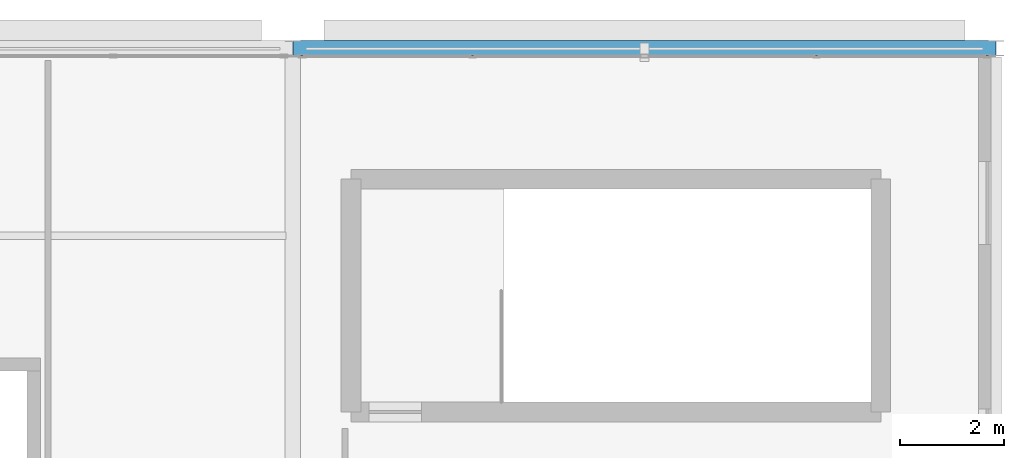
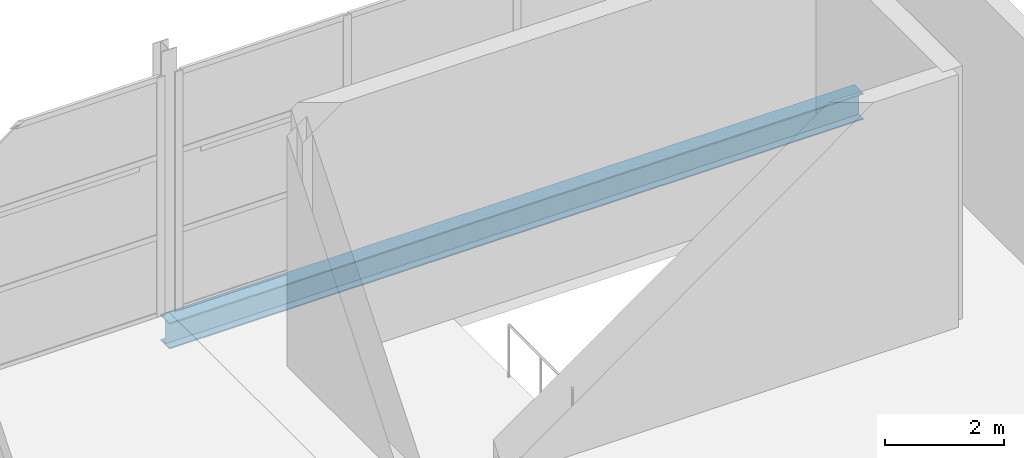
# One storey, part 28 of 34: 1 beam.
"""IFC4 building model written with IfcOpenShell, lengths in metres."""

import ifcopenshell
import ifcopenshell.guid

model = None  # the IFC model being written
_history = None  # IfcOwnerHistory: only IFC2X3 demands one
_inside = {}  # id of a spatial element -> (the spatial element, [elements in it])
_under = {}  # id of a project, library or spatial element -> (it, [spatial elements below it])
_declared = {}  # id of a project -> (the project, [libraries it declares])
_typed = {}  # id of a type object -> (the type object, [elements of that type])
_made_of = {}  # id of a material, layer set ... -> (it, [elements and type objects made of it])


def new_model(schema):
    """Start an empty IFC model of exactly this schema.

    Asked for "IFC4X3", IfcOpenShell would pick the latest addendum, in which some entities
    have other attributes; the version numbers below select the first issue.
    IFC2X3 requires an IfcOwnerHistory on every rooted entity: one is made here for all.
    """
    global model, _history
    if schema == "IFC4X3":
        model = ifcopenshell.file(schema_version=(4, 3, 0, 0))
    else:
        model = ifcopenshell.file(schema=schema)
    _inside.clear()
    _under.clear()
    _declared.clear()
    _typed.clear()
    _made_of.clear()
    _history = None
    if model.schema == "IFC2X3":
        org = make("IfcOrganization", Name="unknown")
        user = make(
            "IfcPersonAndOrganization",
            ThePerson=make("IfcPerson", FamilyName="unknown"),
            TheOrganization=org,
        )
        app = make(
            "IfcApplication",
            ApplicationDeveloper=org,
            Version="unknown",
            ApplicationFullName="unknown",
            ApplicationIdentifier="unknown",
        )
        _history = make(
            "IfcOwnerHistory",
            OwningUser=user,
            OwningApplication=app,
            ChangeAction="ADDED",
            CreationDate=0,
        )
    return model


def make(cls, **values):
    """One entity of the class cls with the attributes given. An attribute that is None is left unset."""
    return model.create_entity(
        cls, **{name: value for name, value in values.items() if value is not None}
    )


def rooted(cls, **values):
    """An entity with a GlobalId (a new one), such as an element, a storey or a relation."""
    return make(cls, GlobalId=ifcopenshell.guid.new(), OwnerHistory=_history, **values)


def si_unit(unit_type, name, prefix=None):
    """IfcSIUnit, for example si_unit("LENGTHUNIT", "METRE", prefix="MILLI")."""
    return make("IfcSIUnit", UnitType=unit_type, Prefix=prefix, Name=name)


def assignment(units):
    """IfcUnitAssignment: the units of a project."""
    return None if units is None else make("IfcUnitAssignment", Units=units)


def point(xyz):
    """IfcCartesianPoint."""
    return None if xyz is None else make("IfcCartesianPoint", Coordinates=xyz)


def direction(xyz):
    """IfcDirection."""
    return None if xyz is None else make("IfcDirection", DirectionRatios=xyz)


def frame(location, z_axis=None, x_axis=None):
    """IfcAxis2Placement3D, a coordinate frame: its origin and axes. An axis left out is left unset."""
    return make(
        "IfcAxis2Placement3D",
        Location=point(location),
        Axis=direction(z_axis),
        RefDirection=direction(x_axis),
    )


def frame_2d(location, x_axis=None):
    """IfcAxis2Placement2D, a coordinate frame in the plane: its origin and x axis."""
    return make(
        "IfcAxis2Placement2D", Location=point(location), RefDirection=direction(x_axis)
    )


def origin():
    """The frame at (0, 0, 0) with its axes left unset."""
    return frame((0.0, 0.0, 0.0))


def origin_2d():
    """The frame at (0, 0) in the plane with its x axis left unset."""
    return frame_2d((0.0, 0.0))


def place(relative_to, where):
    """IfcLocalPlacement: puts the frame where relative to a parent placement (None: the world)."""
    return make(
        "IfcLocalPlacement", PlacementRelTo=relative_to, RelativePlacement=where
    )


def context(
    kind, dimensions, precision=None, world=None, true_north=None, identifier=None
):
    """IfcGeometricRepresentationContext, for example the 3D "Model" context."""
    return make(
        "IfcGeometricRepresentationContext",
        ContextIdentifier=identifier,
        ContextType=kind,
        CoordinateSpaceDimension=dimensions,
        Precision=precision,
        WorldCoordinateSystem=world,
        TrueNorth=true_north,
    )


def subcontext(parent, identifier, kind, view, scale=None):
    """IfcGeometricRepresentationSubContext, for example "Body" below "Model"."""
    return make(
        "IfcGeometricRepresentationSubContext",
        ContextIdentifier=identifier,
        ContextType=kind,
        ParentContext=parent,
        TargetScale=scale,
        TargetView=view,
    )


def project(units=None, contexts=None):
    """IfcProject with its units and contexts."""
    return rooted(
        "IfcProject",
        Name="project",
        RepresentationContexts=contexts,
        UnitsInContext=assignment(units),
    )


def spatial(cls, under=None, at=None, **own):
    """A site, building, storey or space (cls), placed at a placement, below another one or the project."""
    s = rooted(cls, ObjectPlacement=at, **own)
    if under is not None:
        _under.setdefault(under.id(), (under, []))[1].append(s)
    return s


def profile(cls, at=None, kind="AREA", **sizes):
    """A parametric profile (cls). Its sizes go by their IFC names, for example OverallWidth=200.0."""
    return make(cls, ProfileType=kind, Position=at, **sizes)


def i_section(**sizes):
    """IfcIShapeProfileDef."""
    return profile("IfcIShapeProfileDef", **sizes)


def extrude(swept, where, along, depth):
    """IfcExtrudedAreaSolid: the profile swept, set in the frame where, extruded along a direction by depth."""
    return make(
        "IfcExtrudedAreaSolid",
        SweptArea=swept,
        Position=where,
        ExtrudedDirection=direction(along),
        Depth=depth,
    )


def shape(context_of_items, identifier, shape_type, items):
    """IfcShapeRepresentation: the items that make up one representation, for example the "Body"."""
    return make(
        "IfcShapeRepresentation",
        ContextOfItems=context_of_items,
        RepresentationIdentifier=identifier,
        RepresentationType=shape_type,
        Items=items,
    )


def material(Name=None, Category=None):
    """IfcMaterial."""
    return make("IfcMaterial", Name=Name, Category=Category)


def material_profile(
    of_material, cross_section, Name=None, Category=None, Priority=None
):
    """IfcMaterialProfile: a cross section and its material."""
    return make(
        "IfcMaterialProfile",
        Name=Name,
        Material=of_material,
        Profile=cross_section,
        Priority=Priority,
        Category=Category,
    )


def profile_set(profiles, Name=None, composite=None):
    """IfcMaterialProfileSet."""
    return make(
        "IfcMaterialProfileSet",
        Name=Name,
        MaterialProfiles=profiles,
        CompositeProfile=composite,
    )


def made_of(thing, what):
    """Note that an element or type object is made of a material, layer set ...; save() writes the relation."""
    if what is not None:
        _made_of.setdefault(what.id(), (what, []))[1].append(thing)
    return thing


def type_object(cls, material=None, **own):
    """A type object (cls), such as IfcWallType, which elements share."""
    return made_of(rooted(cls, **own), material)


def element(
    cls,
    number,
    at=None,
    inside=None,
    cuts=None,
    type_object=None,
    material=None,
    context=None,
    identifier="Body",
    shape_type=None,
    held_by="IfcProductDefinitionShape",
    body=None,
    shapes=None,
    **own,
):
    """One element of the class cls, such as IfcWall. Its Tag is "e" and its number.

    at: its placement. inside: the storey or other place that contains it. cuts: it is an
    opening in that element (IfcRelVoidsElement). A single representation is given by context,
    identifier, shape_type and body (its items); several are given by shapes. held_by: the class
    of the entity that holds the representations. save() writes the other relations.
    """
    e = rooted(cls, Tag="e%d" % number, ObjectPlacement=at, **own)
    if body is not None:
        shapes = [shape(context, identifier, shape_type, body)]
    if shapes is not None:
        e.Representation = make(held_by, Representations=shapes)
    if inside is not None:
        _inside.setdefault(inside.id(), (inside, []))[1].append(e)
    if cuts is not None:
        rooted(
            "IfcRelVoidsElement", RelatingBuildingElement=cuts, RelatedOpeningElement=e
        )
    if type_object is not None:
        _typed.setdefault(type_object.id(), (type_object, []))[1].append(e)
    return made_of(e, material)


def aggregate(whole, parts):
    """IfcRelAggregates: a whole, such as a stair, and the parts it consists of."""
    return rooted("IfcRelAggregates", RelatingObject=whole, RelatedObjects=parts)


def save(model, path):
    """Write the relations noted so far, then the file.

    IfcRelAggregates (storeys below a building ...), IfcRelContainedInSpatialStructure (elements
    in a storey), IfcRelDefinesByType, IfcRelAssociatesMaterial and IfcRelDeclares: one each for
    every whole, place, type object, material and project.
    """
    for whole, parts in _under.values():
        aggregate(whole, parts)
    for where, things in _inside.values():
        rooted(
            "IfcRelContainedInSpatialStructure",
            RelatedElements=things,
            RelatingStructure=where,
        )
    for kind, things in _typed.values():
        rooted("IfcRelDefinesByType", RelatedObjects=things, RelatingType=kind)
    for what, things in _made_of.values():
        rooted("IfcRelAssociatesMaterial", RelatedObjects=things, RelatingMaterial=what)
    for by, libraries in _declared.values():
        rooted("IfcRelDeclares", RelatingContext=by, RelatedDefinitions=libraries)
    model.write(path)


model = new_model("IFC4")

# Units and contexts
model_context = context("Model", 3, precision=1e-05, world=origin(), true_north=direction((0.0, 1.0)))
body_context = subcontext(model_context, "Body", "Model", "MODEL_VIEW")
ifc_project = project(units=[si_unit("LENGTHUNIT", "METRE"), si_unit("AREAUNIT", "SQUARE_METRE"), si_unit("VOLUMEUNIT", "CUBIC_METRE"), si_unit("PLANEANGLEUNIT", "RADIAN"), si_unit("MASSUNIT", "GRAM", prefix="KILO")], contexts=[model_context])

# Site, building, storey
site_placement = place(None, origin())
site = spatial("IfcSite", under=ifc_project, at=site_placement, CompositionType="ELEMENT")
building_placement = place(site_placement, origin())
building = spatial("IfcBuilding", under=site, at=building_placement, Name="Tamarisk Ironworks Central Station", CompositionType="ELEMENT")
storey_placement = place(building_placement, frame((0.0, 0.0, 25.199951171875)))
storey = spatial("IfcBuildingStorey", under=building, at=storey_placement, Name="L05", CompositionType="ELEMENT", Elevation=25.199951171875)

# Beam
ifc_material = material(Name="Structural steel S355J2", Category="steel")
ifc_material_profile = material_profile(ifc_material, i_section(OverallWidth=0.300048828125, OverallDepth=0.5400390625, WebThickness=0.012451171875, FlangeThickness=0.02392578125, at=origin_2d()), Name="HEA 550")
ifc_profile_set = profile_set([ifc_material_profile], Name="Structural steel S355J2")
beam_type = type_object("IfcBeamType", Name="BM-G04", PredefinedType="BEAM", material=ifc_profile_set)
beam_placement = place(storey_placement, frame((166.50390625, 122.39990234375, -0.489990234375), z_axis=(1.0, 0.0, 0.0), x_axis=(0.0, 1.0, 0.0)))
element("IfcBeam", 1, at=beam_placement, inside=storey, type_object=beam_type, Name="L05 primary girder X-0769", PredefinedType="BEAM", context=body_context, shape_type="SweptSolid", body=[
    extrude(i_section(OverallWidth=0.300048828125, OverallDepth=0.5400390625, WebThickness=0.012451171875, FlangeThickness=0.02392578125, at=origin_2d()), origin(), (0.0, 0.0, 1.0), 13.4921875),
])

save(model, "model.ifc")
